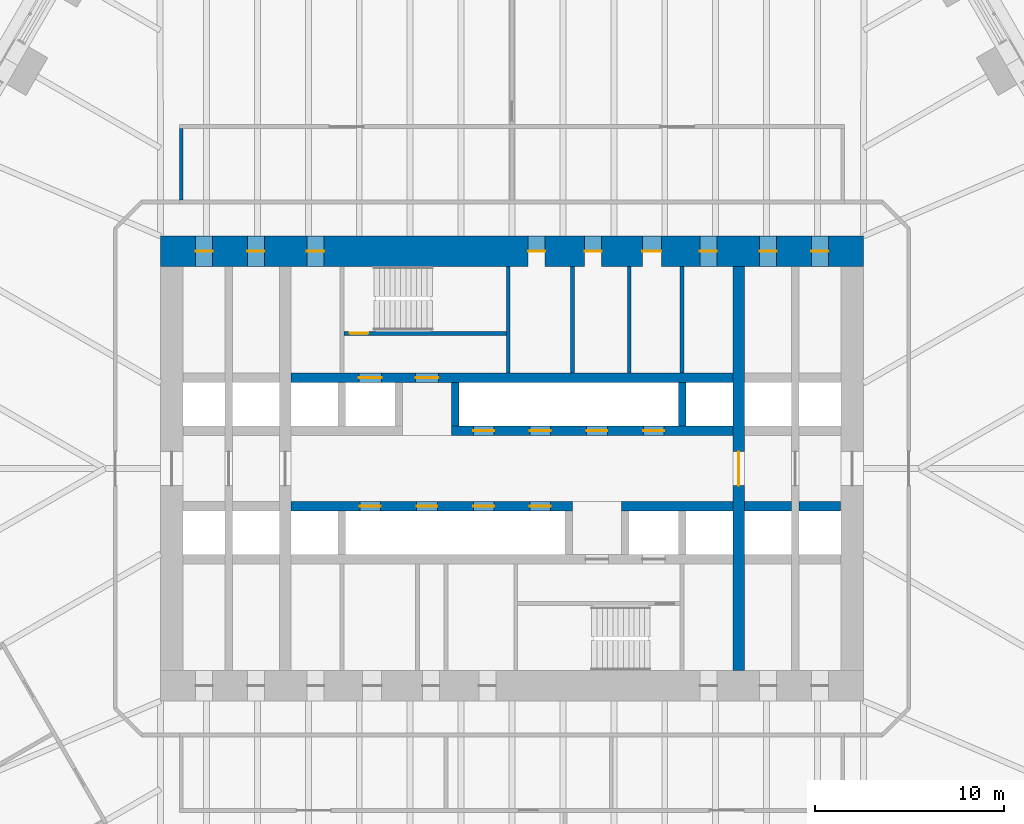
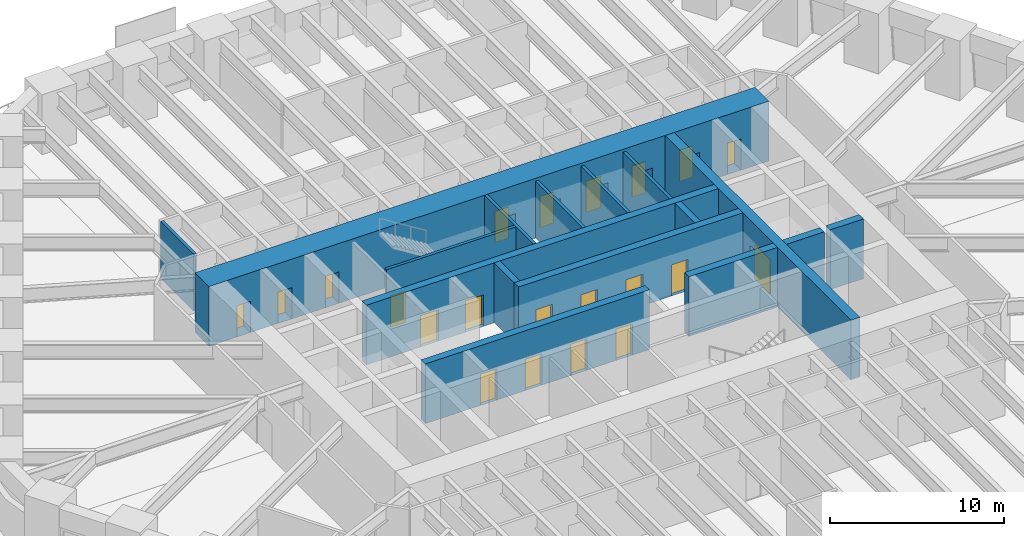
# One storey, part 18 of 23: 21 doors, 16 walls, 21 openings.
"""IFC4 building model written with IfcOpenShell, lengths in metres."""

from ifc_helpers import new_model, si_unit, direction, frame, frame_2d, origin, place, context, subcontext, project, spatial, rectangle, extrude, material, layer, layer_set, type_object, element, fill, save


model = new_model("IFC4")

# Units and contexts
model_context = context("Model", 3, precision=1e-05, world=origin(), true_north=direction((0.0, 1.0)))
body_context = subcontext(model_context, "Body", "Model", "MODEL_VIEW")
ifc_project = project(units=[si_unit("LENGTHUNIT", "METRE"), si_unit("AREAUNIT", "SQUARE_METRE"), si_unit("VOLUMEUNIT", "CUBIC_METRE"), si_unit("PLANEANGLEUNIT", "RADIAN"), si_unit("MASSUNIT", "GRAM", prefix="KILO")], contexts=[model_context])

# Site, building, storey
site_placement = place(None, origin())
site = spatial("IfcSite", under=ifc_project, at=site_placement, CompositionType="ELEMENT")
building_placement = place(site_placement, origin())
building = spatial("IfcBuilding", under=site, at=building_placement, Name="Tarfa Lantern Tower", CompositionType="ELEMENT")
storey_placement = place(building_placement, frame((0.0, 0.0, 27.699951171875)))
storey = spatial("IfcBuildingStorey", under=building, at=storey_placement, Name="L05", CompositionType="ELEMENT", Elevation=27.699951171875)

# Walls
ifc_material_1 = material(Name="Concrete blockwork", Category="masonry")
ifc_layer_1 = layer(ifc_material_1, 0.199951171875)
ifc_layer_set_1 = layer_set([ifc_layer_1], Name="IW1 BLOCKWORK PARTITION 200 EI 120")
wall_type_1 = type_object("IfcWallType", Name="IW1 BLOCKWORK PARTITION 200 EI 120", PredefinedType="PARTITIONING", material=ifc_layer_set_1)
for number, where, z_axis, x_axis, name in (
    (1, (9.0, 5.050048828125, 0.0), (0.0, 0.0, 1.0), (0.0, 1.0, 0.0), "Core partition"),
    (2, (3.199951171875, 5.050048828125, 0.0), (0.0, 0.0, 1.0), (0.0, 1.0, 0.0), "Core partition"),
    (3, (6.199951171875, 5.050048828125, 0.0), (0.0, 0.0, 1.0), (0.0, 1.0, 0.0), "Core partition"),
):
    element("IfcWall", number, at=place(storey_placement, frame(where, z_axis=z_axis, x_axis=x_axis)), inside=storey, type_object=wall_type_1, Name=name, PredefinedType="PARTITIONING", context=body_context, shape_type="SweptSolid", body=[
        extrude(rectangle(XDim=5.64990234375, YDim=0.199951171875, at=frame_2d((2.824951171875, 0.0))), origin(), (0.0, 0.0, 1.0), 4.0),
    ])
ifc_material_2 = material(Name="Gypsum board on steel studs", Category="steel")
ifc_layer_2 = layer(ifc_material_2, 0.2099609375)
ifc_layer_set_2 = layer_set([ifc_layer_2], Name="IW2 ACOUSTIC PARTITION 200")
wall_type_2 = type_object("IfcWallType", Name="IW2 ACOUSTIC PARTITION 200", PredefinedType="PARTITIONING", material=ifc_layer_set_2)
wall_1_placement = place(storey_placement, frame((-17.5, 14.199951171875, 0.0), z_axis=(0.0, 0.0, 1.0), x_axis=(0.0, 1.0, 0.0)))
element("IfcWall", 4, at=wall_1_placement, inside=storey, type_object=wall_type_2, Name="Partition", PredefinedType="PARTITIONING", context=body_context, shape_type="SweptSolid", body=[
    extrude(rectangle(XDim=3.800048828125, YDim=0.199951171875, at=frame_2d((1.89990234375, 0.0))), origin(), (0.0, 0.0, 1.0), 4.0),
])
ifc_material_3 = material(Name="Concrete C80/95", Category="concrete")
ifc_layer_3 = layer(ifc_material_3, 0.199951171875)
ifc_layer_set_3 = layer_set([ifc_layer_3], Name="SW12 CORE WALL 200")
wall_type_3 = type_object("IfcWallType", Name="SW12 CORE WALL 200", PredefinedType="SHEAR", material=ifc_layer_set_3)
wall_2_placement = place(storey_placement, frame((-0.199951171875, 5.050048828125, 0.0), z_axis=(0.0, 0.0, 1.0), x_axis=(0.0, 1.0, 0.0)))
element("IfcWall", 5, at=wall_2_placement, inside=storey, type_object=wall_type_3, Name="Core wall stair shaft N", PredefinedType="SHEAR", context=body_context, shape_type="SweptSolid", body=[
    extrude(rectangle(XDim=5.64990234375, YDim=0.199951171875, at=frame_2d((2.824951171875, 0.0))), origin(), (0.0, 0.0, 1.0), 4.199951171875),
])

# Wall, opening, door
wall_3_placement = place(storey_placement, frame((-8.89990234375, 7.14990234375, 0.0), z_axis=(0.0, 0.0, 1.0), x_axis=(1.0, 0.0, 0.0)))
wall_3 = element("IfcWall", 6, at=wall_3_placement, inside=storey, type_object=wall_type_3, Name="Core wall stair partition N", PredefinedType="SHEAR", context=body_context, shape_type="SweptSolid", body=[
    extrude(rectangle(XDim=8.599853515625, YDim=0.199951171875, at=frame_2d((4.2998046875, 0.0))), origin(), (0.0, 0.0, 1.0), 4.199951171875),
])
opening_1_placement = place(wall_3_placement, frame((0.300048828125, 0.0, 0.0)))
opening_1 = element("IfcOpeningElement", 7, at=opening_1_placement, cuts=wall_3, Name="Opening D23", PredefinedType="OPENING", context=body_context, shape_type="SweptSolid", body=[
    extrude(rectangle(XDim=1.0, YDim=2.199951171875, at=frame_2d((0.5, 1.10009765625))), frame((0.0, 0.10986328125, 0.0), z_axis=(0.0, -1.0, 0.0), x_axis=(1.0, 0.0, 0.0)), (0.0, 0.0, 1.0), 0.219970703125),
])
ifc_material_4 = material(Name="Steel fire door", Category="steel")
door_type_1 = type_object("IfcDoorType", Name="DF2 STAIR DOOR 1000x2200", OperationType="SINGLE_SWING_LEFT", PredefinedType="DOOR", material=ifc_material_4)
door_1_placement = place(opening_1_placement, origin())
door_1 = element("IfcDoor", 8, at=door_1_placement, inside=storey, type_object=door_type_1, Name="Stair door", OperationType="SINGLE_SWING_RIGHT", OverallHeight=2.199951171875, OverallWidth=1.0, PredefinedType="DOOR", context=body_context, shape_type="SweptSolid", body=[
    extrude(rectangle(XDim=1.0, YDim=2.199951171875, at=frame_2d((0.5, 1.10009765625))), frame((0.0, 0.02490234375, 0.0), z_axis=(0.0, -1.0, 0.0), x_axis=(1.0, 0.0, 0.0)), (0.0, 0.0, 1.0), 0.050048828125),
])
fill(opening_1, door_1)

# Wall, openings, doors
ifc_layer_4 = layer(ifc_material_3, 0.5)
ifc_layer_set_4 = layer_set([ifc_layer_4], Name="SW5 CORE WALL 500")
wall_type_4 = type_object("IfcWallType", Name="SW5 CORE WALL 500", PredefinedType="SHEAR", material=ifc_layer_set_4)
wall_4_placement = place(storey_placement, frame((-3.199951171875, 2.0, 0.0), z_axis=(0.0, 0.0, 1.0), x_axis=(1.0, 0.0, 0.0)))
wall_4 = element("IfcWall", 9, at=wall_4_placement, inside=storey, type_object=wall_type_4, Name="Core wall lobby east N", PredefinedType="SHEAR", context=body_context, shape_type="SweptSolid", body=[
    extrude(rectangle(XDim=14.89990234375, YDim=0.5, at=frame_2d((7.449951171875, 0.0))), origin(), (0.0, 0.0, 1.0), 4.199951171875),
])
opening_2_placement = place(wall_4_placement, frame((1.14990234375, 0.0, 0.0)))
opening_2 = element("IfcOpeningElement", 10, at=opening_2_placement, cuts=wall_4, Name="Opening LD03", PredefinedType="OPENING", context=body_context, shape_type="SweptSolid", body=[
    extrude(rectangle(XDim=1.10009765625, YDim=2.199951171875, at=frame_2d((0.550048828125, 1.10009765625))), frame((0.0, 0.260009765625, 0.0), z_axis=(0.0, -1.0, 0.0), x_axis=(1.0, 0.0, 0.0)), (0.0, 0.0, 1.0), 0.52001953125),
])
opening_3_placement = place(wall_4_placement, frame((4.14990234375, 0.0, 0.0)))
opening_3 = element("IfcOpeningElement", 11, at=opening_3_placement, cuts=wall_4, Name="Opening LD04", PredefinedType="OPENING", context=body_context, shape_type="SweptSolid", body=[
    extrude(rectangle(XDim=1.10009765625, YDim=2.199951171875, at=frame_2d((0.550048828125, 1.10009765625))), frame((0.0, 0.260009765625, 0.0), z_axis=(0.0, -1.0, 0.0), x_axis=(1.0, 0.0, 0.0)), (0.0, 0.0, 1.0), 0.52001953125),
])
opening_4_placement = place(wall_4_placement, frame((7.14990234375, 0.0, 0.0)))
opening_4 = element("IfcOpeningElement", 12, at=opening_4_placement, cuts=wall_4, Name="Opening LD05", PredefinedType="OPENING", context=body_context, shape_type="SweptSolid", body=[
    extrude(rectangle(XDim=1.10009765625, YDim=2.199951171875, at=frame_2d((0.550048828125, 1.10009765625))), frame((0.0, 0.260009765625, 0.0), z_axis=(0.0, -1.0, 0.0), x_axis=(1.0, 0.0, 0.0)), (0.0, 0.0, 1.0), 0.52001953125),
])
opening_5_placement = place(wall_4_placement, frame((10.14990234375, 0.0, 0.0)))
opening_5 = element("IfcOpeningElement", 13, at=opening_5_placement, cuts=wall_4, Name="Opening LD06", PredefinedType="OPENING", context=body_context, shape_type="SweptSolid", body=[
    extrude(rectangle(XDim=1.10009765625, YDim=2.199951171875, at=frame_2d((0.550048828125, 1.10009765625))), frame((0.0, 0.260009765625, 0.0), z_axis=(0.0, -1.0, 0.0), x_axis=(1.0, 0.0, 0.0)), (0.0, 0.0, 1.0), 0.52001953125),
])
ifc_material_5 = material(Name="Stainless steel lift door", Category="steel")
door_type_2 = type_object("IfcDoorType", Name="LD2 LIFT LANDING DOOR 1100x2200", OperationType="SLIDING_TO_LEFT", PredefinedType="DOOR", material=ifc_material_5)
door_2_placement = place(opening_2_placement, frame((1.10009765625, 0.0, 0.0), z_axis=(0.0, 0.0, 1.0), x_axis=(-1.0, 0.0, 0.0)))
door_2 = element("IfcDoor", 14, at=door_2_placement, inside=storey, type_object=door_type_2, Name="Landing door PA1", OperationType="SLIDING_TO_LEFT", OverallHeight=2.199951171875, OverallWidth=1.10009765625, PredefinedType="DOOR", context=body_context, shape_type="SweptSolid", body=[
    extrude(rectangle(XDim=1.10009765625, YDim=2.199951171875, at=frame_2d((0.550048828125, 1.10009765625))), frame((0.0, 0.02490234375, 0.0), z_axis=(0.0, -1.0, 0.0), x_axis=(1.0, 0.0, 0.0)), (0.0, 0.0, 1.0), 0.050048828125),
])
fill(opening_2, door_2)
door_3_placement = place(opening_3_placement, frame((1.10009765625, 0.0, 0.0), z_axis=(0.0, 0.0, 1.0), x_axis=(-1.0, 0.0, 0.0)))
door_3 = element("IfcDoor", 15, at=door_3_placement, inside=storey, type_object=door_type_2, Name="Landing door PA2", OperationType="SLIDING_TO_LEFT", OverallHeight=2.199951171875, OverallWidth=1.10009765625, PredefinedType="DOOR", context=body_context, shape_type="SweptSolid", body=[
    extrude(rectangle(XDim=1.10009765625, YDim=2.199951171875, at=frame_2d((0.550048828125, 1.10009765625))), frame((0.0, 0.02490234375, 0.0), z_axis=(0.0, -1.0, 0.0), x_axis=(1.0, 0.0, 0.0)), (0.0, 0.0, 1.0), 0.050048828125),
])
fill(opening_3, door_3)
door_4_placement = place(opening_4_placement, frame((1.10009765625, 0.0, 0.0), z_axis=(0.0, 0.0, 1.0), x_axis=(-1.0, 0.0, 0.0)))
door_4 = element("IfcDoor", 16, at=door_4_placement, inside=storey, type_object=door_type_2, Name="Landing door PA3", OperationType="SLIDING_TO_LEFT", OverallHeight=2.199951171875, OverallWidth=1.10009765625, PredefinedType="DOOR", context=body_context, shape_type="SweptSolid", body=[
    extrude(rectangle(XDim=1.10009765625, YDim=2.199951171875, at=frame_2d((0.550048828125, 1.10009765625))), frame((0.0, 0.02490234375, 0.0), z_axis=(0.0, -1.0, 0.0), x_axis=(1.0, 0.0, 0.0)), (0.0, 0.0, 1.0), 0.050048828125),
])
fill(opening_4, door_4)
door_5_placement = place(opening_5_placement, frame((1.10009765625, 0.0, 0.0), z_axis=(0.0, 0.0, 1.0), x_axis=(-1.0, 0.0, 0.0)))
door_5 = element("IfcDoor", 17, at=door_5_placement, inside=storey, type_object=door_type_2, Name="Landing door PA4", OperationType="SLIDING_TO_LEFT", OverallHeight=2.199951171875, OverallWidth=1.10009765625, PredefinedType="DOOR", context=body_context, shape_type="SweptSolid", body=[
    extrude(rectangle(XDim=1.10009765625, YDim=2.199951171875, at=frame_2d((0.550048828125, 1.10009765625))), frame((0.0, 0.02490234375, 0.0), z_axis=(0.0, -1.0, 0.0), x_axis=(1.0, 0.0, 0.0)), (0.0, 0.0, 1.0), 0.050048828125),
])
fill(opening_5, door_5)

wall_5_placement = place(storey_placement, frame((-11.699951171875, 4.800048828125, 0.0), z_axis=(0.0, 0.0, 1.0), x_axis=(1.0, 0.0, 0.0)))
wall_5 = element("IfcWall", 18, at=wall_5_placement, inside=storey, type_object=wall_type_4, Name="Core wall rear N", PredefinedType="SHEAR", context=body_context, shape_type="SweptSolid", body=[
    extrude(rectangle(XDim=23.39990234375, YDim=0.5, at=frame_2d((11.699951171875, 0.0))), origin(), (0.0, 0.0, 1.0), 4.199951171875),
])
opening_6_placement = place(wall_5_placement, frame((6.60009765625, 0.0, 0.0)))
opening_6 = element("IfcOpeningElement", 19, at=opening_6_placement, cuts=wall_5, Name="Opening D13", PredefinedType="OPENING", context=body_context, shape_type="SweptSolid", body=[
    extrude(rectangle(XDim=1.199951171875, YDim=2.199951171875, at=frame_2d((0.60009765625, 1.10009765625))), frame((0.0, 0.260009765625, 0.0), z_axis=(0.0, -1.0, 0.0), x_axis=(1.0, 0.0, 0.0)), (0.0, 0.0, 1.0), 0.52001953125),
])
opening_7_placement = place(wall_5_placement, frame((3.60009765625, 0.0, 0.0)))
opening_7 = element("IfcOpeningElement", 20, at=opening_7_placement, cuts=wall_5, Name="Opening LD01", PredefinedType="OPENING", context=body_context, shape_type="SweptSolid", body=[
    extrude(rectangle(XDim=1.199951171875, YDim=2.199951171875, at=frame_2d((0.60009765625, 1.10009765625))), frame((0.0, 0.260009765625, 0.0), z_axis=(0.0, -1.0, 0.0), x_axis=(1.0, 0.0, 0.0)), (0.0, 0.0, 1.0), 0.52001953125),
])
door_type_3 = type_object("IfcDoorType", Name="DF1 FIREFIGHTING LOBBY DOOR 1200x2200", OperationType="SINGLE_SWING_LEFT", PredefinedType="DOOR", material=ifc_material_4)
door_6_placement = place(opening_6_placement, origin())
door_6 = element("IfcDoor", 21, at=door_6_placement, inside=storey, type_object=door_type_3, Name="Firefighting lobby door", OperationType="SINGLE_SWING_LEFT", OverallHeight=2.199951171875, OverallWidth=1.199951171875, PredefinedType="DOOR", context=body_context, shape_type="SweptSolid", body=[
    extrude(rectangle(XDim=1.199951171875, YDim=2.199951171875, at=frame_2d((0.60009765625, 1.10009765625))), frame((0.0, 0.02490234375, 0.0), z_axis=(0.0, -1.0, 0.0), x_axis=(1.0, 0.0, 0.0)), (0.0, 0.0, 1.0), 0.050048828125),
])
fill(opening_6, door_6)
door_type_4 = type_object("IfcDoorType", Name="LD1 LIFT LANDING DOOR 1200x2200", OperationType="SLIDING_TO_LEFT", PredefinedType="DOOR", material=ifc_material_5)
door_7_placement = place(opening_7_placement, origin())
door_7 = element("IfcDoor", 22, at=door_7_placement, inside=storey, type_object=door_type_4, Name="Landing door FL1", OperationType="SLIDING_TO_LEFT", OverallHeight=2.199951171875, OverallWidth=1.199951171875, PredefinedType="DOOR", context=body_context, shape_type="SweptSolid", body=[
    extrude(rectangle(XDim=1.199951171875, YDim=2.199951171875, at=frame_2d((0.60009765625, 1.10009765625))), frame((0.0, 0.02490234375, 0.0), z_axis=(0.0, -1.0, 0.0), x_axis=(1.0, 0.0, 0.0)), (0.0, 0.0, 1.0), 0.050048828125),
])
fill(opening_7, door_7)

# Walls
wall_6_placement = place(storey_placement, frame((17.39990234375, -2.0, 0.0), z_axis=(0.0, 0.0, 1.0), x_axis=(-1.0, 0.0, 0.0)))
element("IfcWall", 23, at=wall_6_placement, inside=storey, type_object=wall_type_4, Name="Core wall lobby west S", PredefinedType="SHEAR", context=body_context, shape_type="SweptSolid", body=[
    extrude(rectangle(XDim=2.199951171875, YDim=0.5, at=frame_2d((1.10009765625, 0.0))), origin(), (0.0, 0.0, 1.0), 4.199951171875),
])
wall_7_placement = place(storey_placement, frame((14.800048828125, -2.0, 0.0), z_axis=(0.0, 0.0, 1.0), x_axis=(-1.0, 0.0, 0.0)))
element("IfcWall", 24, at=wall_7_placement, inside=storey, type_object=wall_type_4, Name="Core wall lobby west S", PredefinedType="SHEAR", context=body_context, shape_type="SweptSolid", body=[
    extrude(rectangle(XDim=2.5, YDim=0.5, at=frame_2d((1.25, 0.0))), origin(), (0.0, 0.0, 1.0), 4.199951171875),
])
wall_8_placement = place(storey_placement, frame((11.699951171875, -2.0, 0.0), z_axis=(0.0, 0.0, 1.0), x_axis=(-1.0, 0.0, 0.0)))
element("IfcWall", 25, at=wall_8_placement, inside=storey, type_object=wall_type_4, Name="Core wall lobby west S", PredefinedType="SHEAR", context=body_context, shape_type="SweptSolid", body=[
    extrude(rectangle(XDim=5.89990234375, YDim=0.5, at=frame_2d((2.949951171875, 0.0))), origin(), (0.0, 0.0, 1.0), 4.199951171875),
])

# Wall, openings, doors
wall_9_placement = place(storey_placement, frame((3.199951171875, -2.0, 0.0), z_axis=(0.0, 0.0, 1.0), x_axis=(-1.0, 0.0, 0.0)))
wall_9 = element("IfcWall", 26, at=wall_9_placement, inside=storey, type_object=wall_type_4, Name="Core wall lobby east S", PredefinedType="SHEAR", context=body_context, shape_type="SweptSolid", body=[
    extrude(rectangle(XDim=14.89990234375, YDim=0.5, at=frame_2d((7.449951171875, 0.0))), origin(), (0.0, 0.0, 1.0), 4.199951171875),
])
opening_8_placement = place(wall_9_placement, frame((1.14990234375, 0.0, 0.0)))
opening_8 = element("IfcOpeningElement", 27, at=opening_8_placement, cuts=wall_9, Name="Opening LD07", PredefinedType="OPENING", context=body_context, shape_type="SweptSolid", body=[
    extrude(rectangle(XDim=1.10009765625, YDim=2.199951171875, at=frame_2d((0.550048828125, 1.10009765625))), frame((0.0, 0.260009765625, 0.0), z_axis=(0.0, -1.0, 0.0), x_axis=(1.0, 0.0, 0.0)), (0.0, 0.0, 1.0), 0.52001953125),
])
opening_9_placement = place(wall_9_placement, frame((4.14990234375, 0.0, 0.0)))
opening_9 = element("IfcOpeningElement", 28, at=opening_9_placement, cuts=wall_9, Name="Opening LD08", PredefinedType="OPENING", context=body_context, shape_type="SweptSolid", body=[
    extrude(rectangle(XDim=1.10009765625, YDim=2.199951171875, at=frame_2d((0.550048828125, 1.10009765625))), frame((0.0, 0.260009765625, 0.0), z_axis=(0.0, -1.0, 0.0), x_axis=(1.0, 0.0, 0.0)), (0.0, 0.0, 1.0), 0.52001953125),
])
opening_10_placement = place(wall_9_placement, frame((7.14990234375, 0.0, 0.0)))
opening_10 = element("IfcOpeningElement", 29, at=opening_10_placement, cuts=wall_9, Name="Opening LD09", PredefinedType="OPENING", context=body_context, shape_type="SweptSolid", body=[
    extrude(rectangle(XDim=1.10009765625, YDim=2.199951171875, at=frame_2d((0.550048828125, 1.10009765625))), frame((0.0, 0.260009765625, 0.0), z_axis=(0.0, -1.0, 0.0), x_axis=(1.0, 0.0, 0.0)), (0.0, 0.0, 1.0), 0.52001953125),
])
opening_11_placement = place(wall_9_placement, frame((10.14990234375, 0.0, 0.0)))
opening_11 = element("IfcOpeningElement", 30, at=opening_11_placement, cuts=wall_9, Name="Opening LD10", PredefinedType="OPENING", context=body_context, shape_type="SweptSolid", body=[
    extrude(rectangle(XDim=1.10009765625, YDim=2.199951171875, at=frame_2d((0.550048828125, 1.10009765625))), frame((0.0, 0.260009765625, 0.0), z_axis=(0.0, -1.0, 0.0), x_axis=(1.0, 0.0, 0.0)), (0.0, 0.0, 1.0), 0.52001953125),
])
door_8_placement = place(opening_8_placement, frame((1.10009765625, 0.0, 0.0), z_axis=(0.0, 0.0, 1.0), x_axis=(-1.0, 0.0, 0.0)))
door_8 = element("IfcDoor", 31, at=door_8_placement, inside=storey, type_object=door_type_2, Name="Landing door PA5", OperationType="SLIDING_TO_LEFT", OverallHeight=2.199951171875, OverallWidth=1.10009765625, PredefinedType="DOOR", context=body_context, shape_type="SweptSolid", body=[
    extrude(rectangle(XDim=1.10009765625, YDim=2.199951171875, at=frame_2d((0.550048828125, 1.10009765625))), frame((0.0, 0.02490234375, 0.0), z_axis=(0.0, -1.0, 0.0), x_axis=(1.0, 0.0, 0.0)), (0.0, 0.0, 1.0), 0.050048828125),
])
fill(opening_8, door_8)
door_9_placement = place(opening_9_placement, frame((1.10009765625, 0.0, 0.0), z_axis=(0.0, 0.0, 1.0), x_axis=(-1.0, 0.0, 0.0)))
door_9 = element("IfcDoor", 32, at=door_9_placement, inside=storey, type_object=door_type_2, Name="Landing door PA6", OperationType="SLIDING_TO_LEFT", OverallHeight=2.199951171875, OverallWidth=1.10009765625, PredefinedType="DOOR", context=body_context, shape_type="SweptSolid", body=[
    extrude(rectangle(XDim=1.10009765625, YDim=2.199951171875, at=frame_2d((0.550048828125, 1.10009765625))), frame((0.0, 0.02490234375, 0.0), z_axis=(0.0, -1.0, 0.0), x_axis=(1.0, 0.0, 0.0)), (0.0, 0.0, 1.0), 0.050048828125),
])
fill(opening_9, door_9)
door_10_placement = place(opening_10_placement, frame((1.10009765625, 0.0, 0.0), z_axis=(0.0, 0.0, 1.0), x_axis=(-1.0, 0.0, 0.0)))
door_10 = element("IfcDoor", 33, at=door_10_placement, inside=storey, type_object=door_type_2, Name="Landing door PA7", OperationType="SLIDING_TO_LEFT", OverallHeight=2.199951171875, OverallWidth=1.10009765625, PredefinedType="DOOR", context=body_context, shape_type="SweptSolid", body=[
    extrude(rectangle(XDim=1.10009765625, YDim=2.199951171875, at=frame_2d((0.550048828125, 1.10009765625))), frame((0.0, 0.02490234375, 0.0), z_axis=(0.0, -1.0, 0.0), x_axis=(1.0, 0.0, 0.0)), (0.0, 0.0, 1.0), 0.050048828125),
])
fill(opening_10, door_10)
door_11_placement = place(opening_11_placement, frame((1.10009765625, 0.0, 0.0), z_axis=(0.0, 0.0, 1.0), x_axis=(-1.0, 0.0, 0.0)))
door_11 = element("IfcDoor", 34, at=door_11_placement, inside=storey, type_object=door_type_2, Name="Landing door PA8", OperationType="SLIDING_TO_LEFT", OverallHeight=2.199951171875, OverallWidth=1.10009765625, PredefinedType="DOOR", context=body_context, shape_type="SweptSolid", body=[
    extrude(rectangle(XDim=1.10009765625, YDim=2.199951171875, at=frame_2d((0.550048828125, 1.10009765625))), frame((0.0, 0.02490234375, 0.0), z_axis=(0.0, -1.0, 0.0), x_axis=(1.0, 0.0, 0.0)), (0.0, 0.0, 1.0), 0.050048828125),
])
fill(opening_11, door_11)

# Walls
ifc_layer_5 = layer(ifc_material_3, 0.39990234375)
ifc_layer_set_5 = layer_set([ifc_layer_5], Name="SW6 CORE WALL 400")
wall_type_5 = type_object("IfcWallType", Name="SW6 CORE WALL 400", PredefinedType="SHEAR", material=ifc_layer_set_5)
for number, where, z_axis, x_axis, name in (
    (35, (-3.0, 2.25, 0.0), (0.0, 0.0, 1.0), (0.0, 1.0, 0.0), "Core wall divider N"),
    (36, (9.0, 2.25, 0.0), (0.0, 0.0, 1.0), (0.0, 1.0, 0.0), "Core wall divider N"),
):
    element("IfcWall", number, at=place(storey_placement, frame(where, z_axis=z_axis, x_axis=x_axis)), inside=storey, type_object=wall_type_5, Name=name, PredefinedType="SHEAR", context=body_context, shape_type="SweptSolid", body=[
        extrude(rectangle(XDim=2.300048828125, YDim=0.39990234375, at=frame_2d((1.14990234375, 0.0))), origin(), (0.0, 0.0, 1.0), 4.199951171875),
    ])

# Wall, openings, doors
ifc_layer_6 = layer(ifc_material_3, 1.60009765625)
ifc_layer_set_6 = layer_set([ifc_layer_6], Name="SW7 CORE WALL 1600")
wall_type_6 = type_object("IfcWallType", Name="SW7 CORE WALL 1600", PredefinedType="SHEAR", material=ifc_layer_set_6)
wall_10_placement = place(storey_placement, frame((-18.60009765625, 11.5, 0.0), z_axis=(0.0, 0.0, 1.0), x_axis=(1.0, 0.0, 0.0)))
wall_10 = element("IfcWall", 37, at=wall_10_placement, inside=storey, type_object=wall_type_6, Name="Core wall N", PredefinedType="SHEAR", context=body_context, shape_type="SweptSolid", body=[
    extrude(rectangle(XDim=37.2001953125, YDim=1.60009765625, at=frame_2d((18.60009765625, 0.0))), origin(), (0.0, 0.0, 1.0), 4.199951171875),
])
opening_12_placement = place(wall_10_placement, frame((19.449951171875, 0.0, 0.0)))
opening_12 = element("IfcOpeningElement", 38, at=opening_12_placement, cuts=wall_10, Name="Opening D17", PredefinedType="OPENING", context=body_context, shape_type="SweptSolid", body=[
    extrude(rectangle(XDim=0.89990234375, YDim=2.199951171875, at=frame_2d((0.449951171875, 1.10009765625))), frame((0.0, 0.81005859375, 0.0), z_axis=(0.0, -1.0, 0.0), x_axis=(1.0, 0.0, 0.0)), (0.0, 0.0, 1.0), 1.6201171875),
])
opening_13_placement = place(wall_10_placement, frame((22.449951171875, 0.0, 0.0)))
opening_13 = element("IfcOpeningElement", 39, at=opening_13_placement, cuts=wall_10, Name="Opening D19", PredefinedType="OPENING", context=body_context, shape_type="SweptSolid", body=[
    extrude(rectangle(XDim=0.89990234375, YDim=2.199951171875, at=frame_2d((0.449951171875, 1.10009765625))), frame((0.0, 0.81005859375, 0.0), z_axis=(0.0, -1.0, 0.0), x_axis=(1.0, 0.0, 0.0)), (0.0, 0.0, 1.0), 1.6201171875),
])
opening_14_placement = place(wall_10_placement, frame((25.5, 0.0, 0.0)))
opening_14 = element("IfcOpeningElement", 40, at=opening_14_placement, cuts=wall_10, Name="Opening D21", PredefinedType="OPENING", context=body_context, shape_type="SweptSolid", body=[
    extrude(rectangle(XDim=1.0, YDim=2.199951171875, at=frame_2d((0.5, 1.10009765625))), frame((0.0, 0.81005859375, 0.0), z_axis=(0.0, -1.0, 0.0), x_axis=(1.0, 0.0, 0.0)), (0.0, 0.0, 1.0), 1.6201171875),
])
opening_15_placement = place(wall_10_placement, frame((1.85009765625, 0.0, 0.0)))
opening_15 = element("IfcOpeningElement", 41, at=opening_15_placement, cuts=wall_10, Name="Opening D11", PredefinedType="OPENING", context=body_context, shape_type="SweptSolid", body=[
    extrude(rectangle(XDim=0.89990234375, YDim=2.199951171875, at=frame_2d((0.449951171875, 1.10009765625))), frame((0.0, 0.81005859375, 0.0), z_axis=(0.0, -1.0, 0.0), x_axis=(1.0, 0.0, 0.0)), (0.0, 0.0, 1.0), 1.6201171875),
])
opening_16_placement = place(wall_10_placement, frame((4.60009765625, 0.0, 0.0)))
opening_16 = element("IfcOpeningElement", 42, at=opening_16_placement, cuts=wall_10, Name="Opening D07", PredefinedType="OPENING", context=body_context, shape_type="SweptSolid", body=[
    extrude(rectangle(XDim=0.89990234375, YDim=2.199951171875, at=frame_2d((0.449951171875, 1.10009765625))), frame((0.0, 0.81005859375, 0.0), z_axis=(0.0, -1.0, 0.0), x_axis=(1.0, 0.0, 0.0)), (0.0, 0.0, 1.0), 1.6201171875),
])
opening_17_placement = place(wall_10_placement, frame((7.75, 0.0, 0.0)))
opening_17 = element("IfcOpeningElement", 43, at=opening_17_placement, cuts=wall_10, Name="Opening D09", PredefinedType="OPENING", context=body_context, shape_type="SweptSolid", body=[
    extrude(rectangle(XDim=0.89990234375, YDim=2.199951171875, at=frame_2d((0.449951171875, 1.10009765625))), frame((0.0, 0.81005859375, 0.0), z_axis=(0.0, -1.0, 0.0), x_axis=(1.0, 0.0, 0.0)), (0.0, 0.0, 1.0), 1.6201171875),
])
opening_18_placement = place(wall_10_placement, frame((28.550048828125, 0.0, 0.0)))
opening_18 = element("IfcOpeningElement", 44, at=opening_18_placement, cuts=wall_10, Name="Opening D05", PredefinedType="OPENING", context=body_context, shape_type="SweptSolid", body=[
    extrude(rectangle(XDim=0.89990234375, YDim=2.199951171875, at=frame_2d((0.449951171875, 1.10009765625))), frame((0.0, 0.81005859375, 0.0), z_axis=(0.0, -1.0, 0.0), x_axis=(1.0, 0.0, 0.0)), (0.0, 0.0, 1.0), 1.6201171875),
])
opening_19_placement = place(wall_10_placement, frame((31.699951171875, 0.0, 0.0)))
opening_19 = element("IfcOpeningElement", 45, at=opening_19_placement, cuts=wall_10, Name="Opening D01", PredefinedType="OPENING", context=body_context, shape_type="SweptSolid", body=[
    extrude(rectangle(XDim=0.89990234375, YDim=2.199951171875, at=frame_2d((0.449951171875, 1.10009765625))), frame((0.0, 0.81005859375, 0.0), z_axis=(0.0, -1.0, 0.0), x_axis=(1.0, 0.0, 0.0)), (0.0, 0.0, 1.0), 1.6201171875),
])
opening_20_placement = place(wall_10_placement, frame((34.449951171875, 0.0, 0.0)))
opening_20 = element("IfcOpeningElement", 46, at=opening_20_placement, cuts=wall_10, Name="Opening D03", PredefinedType="OPENING", context=body_context, shape_type="SweptSolid", body=[
    extrude(rectangle(XDim=0.89990234375, YDim=2.199951171875, at=frame_2d((0.449951171875, 1.10009765625))), frame((0.0, 0.81005859375, 0.0), z_axis=(0.0, -1.0, 0.0), x_axis=(1.0, 0.0, 0.0)), (0.0, 0.0, 1.0), 1.6201171875),
])
door_type_5 = type_object("IfcDoorType", Name="DF3 CORE ROOM DOOR 900x2200", OperationType="SINGLE_SWING_LEFT", PredefinedType="DOOR", material=ifc_material_4)
door_12_placement = place(opening_12_placement, frame((0.89990234375, 0.0, 0.0), z_axis=(0.0, 0.0, 1.0), x_axis=(-1.0, 0.0, 0.0)))
door_12 = element("IfcDoor", 47, at=door_12_placement, inside=storey, type_object=door_type_5, Name="Core door", OperationType="SINGLE_SWING_LEFT", OverallHeight=2.199951171875, OverallWidth=0.89990234375, PredefinedType="DOOR", context=body_context, shape_type="SweptSolid", body=[
    extrude(rectangle(XDim=0.89990234375, YDim=2.199951171875, at=frame_2d((0.449951171875, 1.10009765625))), frame((0.0, 0.02490234375, 0.0), z_axis=(0.0, -1.0, 0.0), x_axis=(1.0, 0.0, 0.0)), (0.0, 0.0, 1.0), 0.050048828125),
])
fill(opening_12, door_12)
door_13_placement = place(opening_13_placement, frame((0.89990234375, 0.0, 0.0), z_axis=(0.0, 0.0, 1.0), x_axis=(-1.0, 0.0, 0.0)))
door_13 = element("IfcDoor", 48, at=door_13_placement, inside=storey, type_object=door_type_5, Name="Core door", OperationType="SINGLE_SWING_LEFT", OverallHeight=2.199951171875, OverallWidth=0.89990234375, PredefinedType="DOOR", context=body_context, shape_type="SweptSolid", body=[
    extrude(rectangle(XDim=0.89990234375, YDim=2.199951171875, at=frame_2d((0.449951171875, 1.10009765625))), frame((0.0, 0.02490234375, 0.0), z_axis=(0.0, -1.0, 0.0), x_axis=(1.0, 0.0, 0.0)), (0.0, 0.0, 1.0), 0.050048828125),
])
fill(opening_13, door_13)
door_type_6 = type_object("IfcDoorType", Name="DF4 CORE ROOM DOOR 1000x2200", OperationType="SINGLE_SWING_LEFT", PredefinedType="DOOR", material=ifc_material_4)
door_14_placement = place(opening_14_placement, frame((1.0, 0.0, 0.0), z_axis=(0.0, 0.0, 1.0), x_axis=(-1.0, 0.0, 0.0)))
door_14 = element("IfcDoor", 49, at=door_14_placement, inside=storey, type_object=door_type_6, Name="Core door", OperationType="SINGLE_SWING_LEFT", OverallHeight=2.199951171875, OverallWidth=1.0, PredefinedType="DOOR", context=body_context, shape_type="SweptSolid", body=[
    extrude(rectangle(XDim=1.0, YDim=2.199951171875, at=frame_2d((0.5, 1.10009765625))), frame((0.0, 0.02490234375, 0.0), z_axis=(0.0, -1.0, 0.0), x_axis=(1.0, 0.0, 0.0)), (0.0, 0.0, 1.0), 0.050048828125),
])
fill(opening_14, door_14)
door_type_7 = type_object("IfcDoorType", Name="DF5 RISER DOOR 900x2200", OperationType="SINGLE_SWING_LEFT", PredefinedType="DOOR", material=ifc_material_4)
door_15_placement = place(opening_15_placement, frame((0.89990234375, 0.0, 0.0), z_axis=(0.0, 0.0, 1.0), x_axis=(-1.0, 0.0, 0.0)))
door_15 = element("IfcDoor", 50, at=door_15_placement, inside=storey, type_object=door_type_7, Name="Riser door", OperationType="SINGLE_SWING_LEFT", OverallHeight=2.199951171875, OverallWidth=0.89990234375, PredefinedType="DOOR", context=body_context, shape_type="SweptSolid", body=[
    extrude(rectangle(XDim=0.89990234375, YDim=2.199951171875, at=frame_2d((0.449951171875, 1.10009765625))), frame((0.0, 0.02490234375, 0.0), z_axis=(0.0, -1.0, 0.0), x_axis=(1.0, 0.0, 0.0)), (0.0, 0.0, 1.0), 0.050048828125),
])
fill(opening_15, door_15)
door_16_placement = place(opening_16_placement, frame((0.89990234375, 0.0, 0.0), z_axis=(0.0, 0.0, 1.0), x_axis=(-1.0, 0.0, 0.0)))
door_16 = element("IfcDoor", 51, at=door_16_placement, inside=storey, type_object=door_type_7, Name="Riser door", OperationType="SINGLE_SWING_LEFT", OverallHeight=2.199951171875, OverallWidth=0.89990234375, PredefinedType="DOOR", context=body_context, shape_type="SweptSolid", body=[
    extrude(rectangle(XDim=0.89990234375, YDim=2.199951171875, at=frame_2d((0.449951171875, 1.10009765625))), frame((0.0, 0.02490234375, 0.0), z_axis=(0.0, -1.0, 0.0), x_axis=(1.0, 0.0, 0.0)), (0.0, 0.0, 1.0), 0.050048828125),
])
fill(opening_16, door_16)
door_17_placement = place(opening_17_placement, frame((0.89990234375, 0.0, 0.0), z_axis=(0.0, 0.0, 1.0), x_axis=(-1.0, 0.0, 0.0)))
door_17 = element("IfcDoor", 52, at=door_17_placement, inside=storey, type_object=door_type_7, Name="Riser door", OperationType="SINGLE_SWING_LEFT", OverallHeight=2.199951171875, OverallWidth=0.89990234375, PredefinedType="DOOR", context=body_context, shape_type="SweptSolid", body=[
    extrude(rectangle(XDim=0.89990234375, YDim=2.199951171875, at=frame_2d((0.449951171875, 1.10009765625))), frame((0.0, 0.02490234375, 0.0), z_axis=(0.0, -1.0, 0.0), x_axis=(1.0, 0.0, 0.0)), (0.0, 0.0, 1.0), 0.050048828125),
])
fill(opening_17, door_17)
door_18_placement = place(opening_18_placement, frame((0.89990234375, 0.0, 0.0), z_axis=(0.0, 0.0, 1.0), x_axis=(-1.0, 0.0, 0.0)))
door_18 = element("IfcDoor", 53, at=door_18_placement, inside=storey, type_object=door_type_7, Name="Riser door", OperationType="SINGLE_SWING_RIGHT", OverallHeight=2.199951171875, OverallWidth=0.89990234375, PredefinedType="DOOR", context=body_context, shape_type="SweptSolid", body=[
    extrude(rectangle(XDim=0.89990234375, YDim=2.199951171875, at=frame_2d((0.449951171875, 1.10009765625))), frame((0.0, 0.02490234375, 0.0), z_axis=(0.0, -1.0, 0.0), x_axis=(1.0, 0.0, 0.0)), (0.0, 0.0, 1.0), 0.050048828125),
])
fill(opening_18, door_18)
door_19_placement = place(opening_19_placement, frame((0.89990234375, 0.0, 0.0), z_axis=(0.0, 0.0, 1.0), x_axis=(-1.0, 0.0, 0.0)))
door_19 = element("IfcDoor", 54, at=door_19_placement, inside=storey, type_object=door_type_7, Name="Riser door", OperationType="SINGLE_SWING_RIGHT", OverallHeight=2.199951171875, OverallWidth=0.89990234375, PredefinedType="DOOR", context=body_context, shape_type="SweptSolid", body=[
    extrude(rectangle(XDim=0.89990234375, YDim=2.199951171875, at=frame_2d((0.449951171875, 1.10009765625))), frame((0.0, 0.02490234375, 0.0), z_axis=(0.0, -1.0, 0.0), x_axis=(1.0, 0.0, 0.0)), (0.0, 0.0, 1.0), 0.050048828125),
])
fill(opening_19, door_19)
door_20_placement = place(opening_20_placement, frame((0.89990234375, 0.0, 0.0), z_axis=(0.0, 0.0, 1.0), x_axis=(-1.0, 0.0, 0.0)))
door_20 = element("IfcDoor", 55, at=door_20_placement, inside=storey, type_object=door_type_7, Name="Riser door", OperationType="SINGLE_SWING_RIGHT", OverallHeight=2.199951171875, OverallWidth=0.89990234375, PredefinedType="DOOR", context=body_context, shape_type="SweptSolid", body=[
    extrude(rectangle(XDim=0.89990234375, YDim=2.199951171875, at=frame_2d((0.449951171875, 1.10009765625))), frame((0.0, 0.02490234375, 0.0), z_axis=(0.0, -1.0, 0.0), x_axis=(1.0, 0.0, 0.0)), (0.0, 0.0, 1.0), 0.050048828125),
])
fill(opening_20, door_20)

# Wall, opening, door
ifc_layer_7 = layer(ifc_material_3, 0.60009765625)
ifc_layer_set_7 = layer_set([ifc_layer_7], Name="SW9 CORE WALL 600")
wall_type_7 = type_object("IfcWallType", Name="SW9 CORE WALL 600", PredefinedType="SHEAR", material=ifc_layer_set_7)
wall_11_placement = place(storey_placement, frame((12.0, -10.699951171875, 0.0), z_axis=(0.0, 0.0, 1.0), x_axis=(0.0, 1.0, 0.0)))
wall_11 = element("IfcWall", 56, at=wall_11_placement, inside=storey, type_object=wall_type_7, Name="Core wall cross 12 m east", PredefinedType="SHEAR", context=body_context, shape_type="SweptSolid", body=[
    extrude(rectangle(XDim=21.39990234375, YDim=0.60009765625, at=frame_2d((10.699951171875, 0.0))), origin(), (0.0, 0.0, 1.0), 4.199951171875),
])
opening_21_placement = place(wall_11_placement, frame((9.800048828125, 0.0, 0.0)))
opening_21 = element("IfcOpeningElement", 57, at=opening_21_placement, cuts=wall_11, Name="Opening D25", PredefinedType="OPENING", context=body_context, shape_type="SweptSolid", body=[
    extrude(rectangle(XDim=1.800048828125, YDim=2.39990234375, at=frame_2d((0.89990234375, 1.199951171875))), frame((0.0, 0.31005859375, 0.0), z_axis=(0.0, -1.0, 0.0), x_axis=(1.0, 0.0, 0.0)), (0.0, 0.0, 1.0), 0.6201171875),
])
door_type_8 = type_object("IfcDoorType", Name="DL1 LOBBY DOOR 1800x2400", OperationType="DOUBLE_DOOR_SINGLE_SWING", PredefinedType="DOOR", material=ifc_material_4)
door_21_placement = place(opening_21_placement, origin())
door_21 = element("IfcDoor", 58, at=door_21_placement, inside=storey, type_object=door_type_8, Name="Lift lobby door", OperationType="DOUBLE_DOOR_SINGLE_SWING", OverallHeight=2.39990234375, OverallWidth=1.800048828125, PredefinedType="DOOR", context=body_context, shape_type="SweptSolid", body=[
    extrude(rectangle(XDim=1.800048828125, YDim=2.39990234375, at=frame_2d((0.89990234375, 1.199951171875))), frame((0.0, 0.02490234375, 0.0), z_axis=(0.0, -1.0, 0.0), x_axis=(1.0, 0.0, 0.0)), (0.0, 0.0, 1.0), 0.050048828125),
])
fill(opening_21, door_21)

save(model, "model.ifc")
